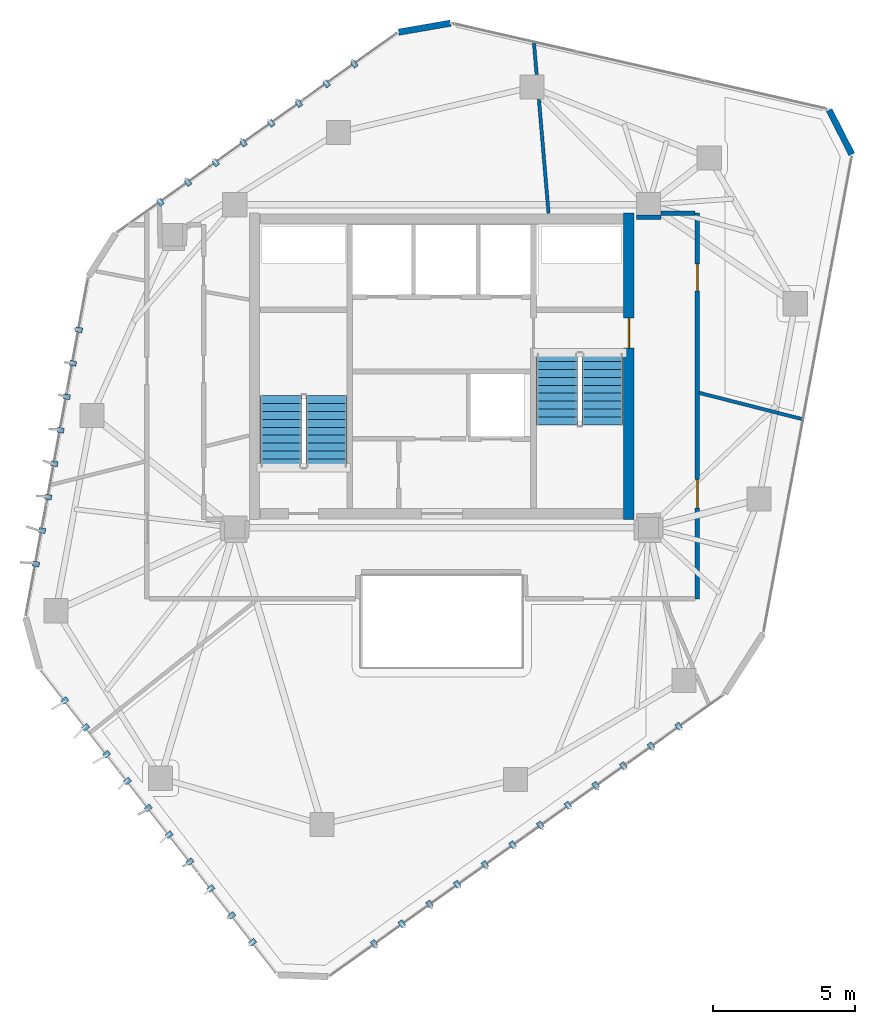
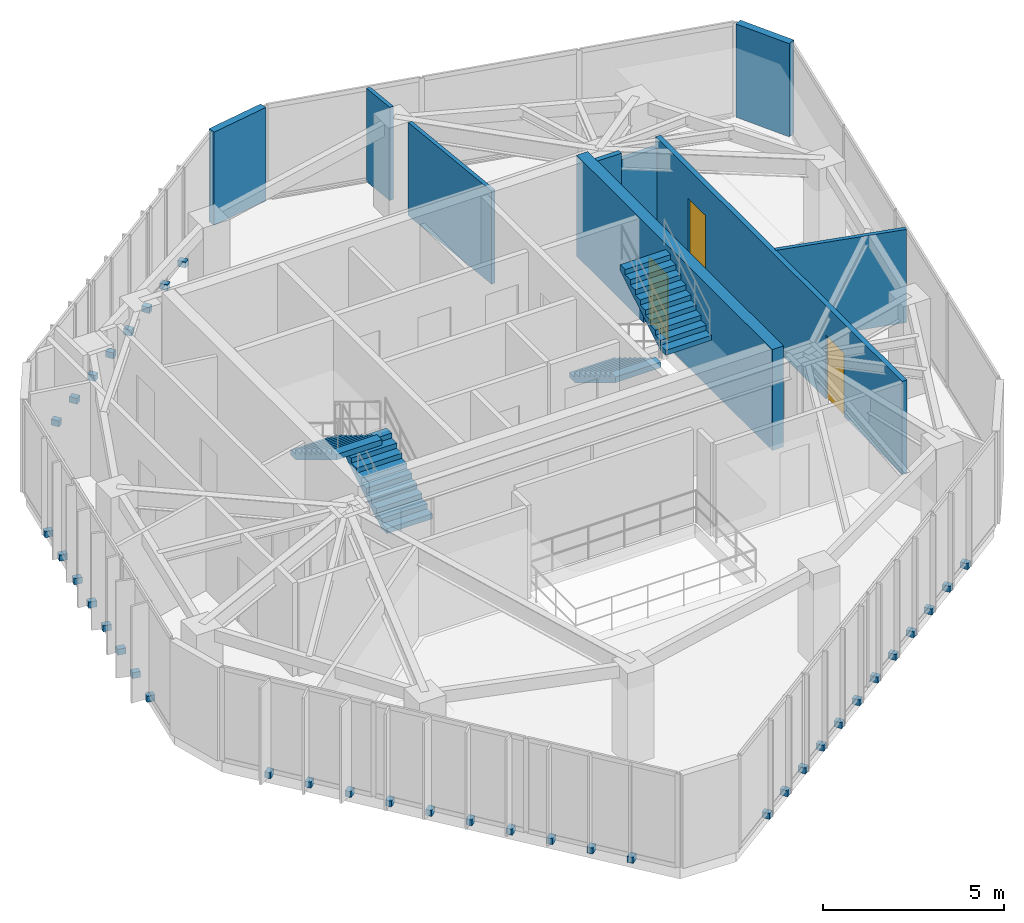
# One storey, part 17 of 19: 38 discrete accessories, 9 walls, 4 stair flights, 3 doors, 3 openings, 2 elements without a shape of their own.
"""IFC4 building model written with IfcOpenShell, lengths in metres."""

from ifc_helpers import new_model, si_unit, direction, frame, frame_2d, origin, origin_2d, place, context, subcontext, project, spatial, polyline, rectangle, outline, extrude, source, transform, mapped, material, layer, layer_set, type_object, type_shapes, element, fill, aggregate, save


model = new_model("IFC4")

# Units and contexts
model_context = context("Model", 3, precision=1e-05, world=origin(), true_north=direction((0.0, 1.0)))
body_context = subcontext(model_context, "Body", "Model", "MODEL_VIEW")
ifc_project = project(units=[si_unit("LENGTHUNIT", "METRE"), si_unit("AREAUNIT", "SQUARE_METRE"), si_unit("VOLUMEUNIT", "CUBIC_METRE"), si_unit("PLANEANGLEUNIT", "RADIAN"), si_unit("MASSUNIT", "GRAM", prefix="KILO")], contexts=[model_context])

# Site, building, storey
site_placement = place(None, origin())
site = spatial("IfcSite", under=ifc_project, at=site_placement, CompositionType="ELEMENT")
building_placement = place(site_placement, origin())
building = spatial("IfcBuilding", under=site, at=building_placement, Name="Talar Marvaseh", CompositionType="ELEMENT")
storey_placement = place(building_placement, frame((0.0, 0.0, 240.800048828125)))
storey = spatial("IfcBuildingStorey", under=building, at=storey_placement, Name="L63", CompositionType="ELEMENT", Elevation=240.800048828125)

# Walls
ifc_material_1 = material(Name="Precast concrete C45/55", Category="concrete")
ifc_layer_1 = layer(ifc_material_1, 0.22509765625)
ifc_layer_set_1 = layer_set([ifc_layer_1], Name="Precast concrete C45/55")
wall_type_1 = type_object("IfcWallType", Name="Chamfered Hexagonal Corner Pier Wall Z4 225", PredefinedType="SOLIDWALL", material=ifc_layer_set_1)
wall_1_placement = place(storey_placement, frame((24.482177734375, 42.9873046875, 0.0), z_axis=(0.0, 0.0, 1.0), x_axis=(0.985188582736, 0.171474360903, 0.0)))
element("IfcWall", 1, at=wall_1_placement, inside=storey, type_object=wall_type_1, Name="L63 Chamfered Corner Limestone Pier 4", PredefinedType="SOLIDWALL", context=body_context, shape_type="SweptSolid", body=[
    extrude(rectangle(XDim=1.856689453125, YDim=0.22509765625, at=frame_2d((0.92822265625, 0.0))), origin(), (0.0, 0.0, 1.0), 3.139892578125),
])
wall_2_placement = place(storey_placement, frame((39.66845703125, 40.2421875, 0.0), z_axis=(0.0, 0.0, 1.0), x_axis=(0.455140425342, -0.890419672525, 0.0)))
element("IfcWall", 2, at=wall_2_placement, inside=storey, type_object=wall_type_1, Name="L63 Chamfered Corner Limestone Pier 5", PredefinedType="SOLIDWALL", context=body_context, shape_type="SweptSolid", body=[
    extrude(rectangle(XDim=1.7578125, YDim=0.22509765625, at=frame_2d((0.87890625, 0.0))), origin(), (0.0, 0.0, 1.0), 3.139892578125),
])

# Wall, openings, doors
ifc_material_2 = material(Name="Gypsum Board Partition Assembly")
ifc_layer_2 = layer(ifc_material_2, 0.155029296875)
ifc_layer_set_2 = layer_set([ifc_layer_2], Name="Gypsum Board Partition Assembly")
wall_type_2 = type_object("IfcWallType", Name="Corridor Fire-Rated Acoustic Partition 155", PredefinedType="PARTITIONING", material=ifc_layer_set_2)
wall_3_placement = place(storey_placement, frame((35.02001953125, 36.60009765625, 0.0), z_axis=(0.0, 0.0, 1.0), x_axis=(0.0, -1.0, 0.0)))
wall_3 = element("IfcWall", 3, at=wall_3_placement, inside=storey, type_object=wall_type_2, Name="L63 Interior Partition Wall", PredefinedType="PARTITIONING", context=body_context, shape_type="SweptSolid", body=[
    extrude(rectangle(XDim=13.60009765625, YDim=0.155029296875, at=frame_2d((6.800048828125, 0.0))), origin(), (0.0, 0.0, 1.0), 3.139892578125),
])
opening_1_placement = place(wall_3_placement, frame((9.391357421875, 0.0, 0.0)))
opening_1 = element("IfcOpeningElement", 4, at=opening_1_placement, cuts=wall_3, Name="Opening DR-RM100", PredefinedType="OPENING", context=body_context, shape_type="SweptSolid", body=[
    extrude(rectangle(XDim=1.0, YDim=2.14990234375, at=frame_2d((0.5, 1.074951171875))), frame((0.0, 0.08740234375, 0.0), z_axis=(0.0, -1.0, 0.0), x_axis=(1.0, 0.0, 0.0)), (0.0, 0.0, 1.0), 0.175048828125),
])
opening_2_placement = place(wall_3_placement, frame((1.788330078125, 0.0, 0.0)))
opening_2 = element("IfcOpeningElement", 5, at=opening_2_placement, cuts=wall_3, Name="Opening DR-WC095", PredefinedType="OPENING", context=body_context, shape_type="SweptSolid", body=[
    extrude(rectangle(XDim=0.949951171875, YDim=2.14990234375, at=frame_2d((0.47509765625, 1.074951171875))), frame((0.0, 0.08740234375, 0.0), z_axis=(0.0, -1.0, 0.0), x_axis=(1.0, 0.0, 0.0)), (0.0, 0.0, 1.0), 0.175048828125),
])
ifc_material_3 = material(Name="Acoustic Engineered Oak Timber", Category="wood")
door_type_1 = type_object("IfcDoorType", Name="Washroom and Service Room Door 950x2150", OperationType="NOTDEFINED", PredefinedType="DOOR", material=ifc_material_3)
shared_shape_1 = source(origin(), body_context, "Body", "SweptSolid", [
    extrude(rectangle(XDim=0.949951171875, YDim=2.14990234375, at=frame_2d((0.47509765625, 1.074951171875))), frame((0.0, 0.02490234375, 0.0), z_axis=(0.0, -1.0, 0.0), x_axis=(1.0, 0.0, 0.0)), (0.0, 0.0, 1.0), 0.050048828125),
])
type_shapes(door_type_1, [shared_shape_1])
door_1_placement = place(opening_2_placement, origin())
door_1 = element("IfcDoor", 6, at=door_1_placement, inside=storey, type_object=door_type_1, Name="L63 Scholars' Servery Pantry Door", OperationType="SINGLE_SWING_RIGHT", OverallHeight=2.14990234375, OverallWidth=0.949951171875, PredefinedType="DOOR", context=body_context, shape_type="MappedRepresentation", body=[
    mapped(shared_shape_1, transform((0.0, 0.0, 0.0), x_axis=(1.0, 0.0, 0.0), y_axis=(0.0, 1.0, 0.0), z_axis=(0.0, 0.0, 1.0), scale=1.0)),
])
fill(opening_2, door_1)
door_type_2 = type_object("IfcDoorType", Name="Corridor Fire-Rated Gallery Door 1000x2150", OperationType="NOTDEFINED", PredefinedType="DOOR", material=ifc_material_3)
shared_shape_2 = source(origin(), body_context, "Body", "SweptSolid", [
    extrude(rectangle(XDim=1.0, YDim=2.14990234375, at=frame_2d((0.5, 1.074951171875))), frame((0.0, 0.02490234375, 0.0), z_axis=(0.0, -1.0, 0.0), x_axis=(1.0, 0.0, 0.0)), (0.0, 0.0, 1.0), 0.050048828125),
])
type_shapes(door_type_2, [shared_shape_2])
door_2_placement = place(opening_1_placement, origin())
door_2 = element("IfcDoor", 7, at=door_2_placement, inside=storey, type_object=door_type_2, Name="L63 Visitor Orientation Foyer Door", OperationType="SINGLE_SWING_LEFT", OverallHeight=2.14990234375, OverallWidth=1.0, PredefinedType="DOOR", context=body_context, shape_type="MappedRepresentation", body=[
    mapped(shared_shape_2, transform((0.0, 0.0, 0.0), x_axis=(1.0, 0.0, 0.0), y_axis=(0.0, 1.0, 0.0), z_axis=(0.0, 0.0, 1.0), scale=1.0)),
])
fill(opening_1, door_2)

# Walls
wall_4_placement = place(storey_placement, frame((32.8701171875, 36.464599609375, 0.0), z_axis=(0.0, 0.0, 1.0), x_axis=(0.999986873463, -0.005123758532, 0.0)))
element("IfcWall", 8, at=wall_4_placement, inside=storey, type_object=wall_type_2, Name="L63 Interior Partition Wall", PredefinedType="PARTITIONING", context=body_context, shape_type="SweptSolid", body=[
    extrude(rectangle(XDim=0.857666015625, YDim=0.155029296875, at=frame_2d((0.4287109375, 0.0))), origin(), (0.0, 0.0, 1.0), 3.139892578125),
])
wall_5_placement = place(storey_placement, frame((33.739990234375, 36.60009765625, 0.0), z_axis=(0.0, 0.0, 1.0), x_axis=(1.0, 0.0, 0.0)))
element("IfcWall", 9, at=wall_5_placement, inside=storey, type_object=wall_type_2, Name="L63 Interior Partition Wall", PredefinedType="PARTITIONING", context=body_context, shape_type="SweptSolid", body=[
    extrude(rectangle(XDim=1.196533203125, YDim=0.155029296875, at=frame_2d((0.59814453125, 0.0))), origin(), (0.0, 0.0, 1.0), 2.802001953125),
])
ifc_layer_3 = layer(ifc_material_2, 0.1201171875)
ifc_layer_set_3 = layer_set([ifc_layer_3], Name="Gypsum Board Partition Assembly")
wall_type_3 = type_object("IfcWallType", Name="Demountable Studio Room Partition 120", PredefinedType="PARTITIONING", material=ifc_layer_set_3)
wall_6_placement = place(storey_placement, frame((35.0830078125, 30.263916015625, 0.0), z_axis=(0.0, 0.0, 1.0), x_axis=(0.969008129802, -0.24702883309, 0.0)))
element("IfcWall", 10, at=wall_6_placement, inside=storey, type_object=wall_type_3, Name="L63 Interior Partition Wall", PredefinedType="PARTITIONING", context=body_context, shape_type="SweptSolid", body=[
    extrude(rectangle(XDim=3.756591796875, YDim=0.1201171875, at=frame_2d((1.87841796875, 0.0))), origin(), (0.0, 0.0, 1.0), 3.139892578125),
])
wall_7_placement = place(storey_placement, frame((29.77001953125, 36.60009765625, 0.0), z_axis=(0.0, 0.0, 1.0), x_axis=(-0.084506371621, 0.996422938895, 0.0)))
element("IfcWall", 11, at=wall_7_placement, inside=storey, type_object=wall_type_3, Name="L63 Interior Partition Wall", PredefinedType="PARTITIONING", context=body_context, shape_type="SweptSolid", body=[
    extrude(rectangle(XDim=4.0244140625, YDim=0.1201171875, at=frame_2d((2.01220703125, 0.0))), origin(), (0.0, 0.0, 1.0), 3.139892578125),
])
wall_8_placement = place(storey_placement, frame((29.35009765625, 41.489990234375, 0.0), z_axis=(0.0, 0.0, 1.0), x_axis=(-0.084781555985, 0.996399562307, 0.0)))
element("IfcWall", 12, at=wall_8_placement, inside=storey, type_object=wall_type_3, Name="L63 Interior Partition Wall", PredefinedType="PARTITIONING", context=body_context, shape_type="SweptSolid", body=[
    extrude(rectangle(XDim=1.12890625, YDim=0.1201171875, at=frame_2d((0.564453125, 0.0))), origin(), (0.0, 0.0, 1.0), 3.139892578125),
])

# Wall, opening, door
ifc_material_4 = material(Name="Concrete C50/60", Category="concrete")
ifc_layer_4 = layer(ifc_material_4, 0.360107421875)
ifc_layer_set_4 = layer_set([ifc_layer_4], Name="Concrete C50/60")
wall_type_4 = type_object("IfcWallType", Name="Upper Core Reinforced Concrete Shear Wall 360", PredefinedType="SHEAR", material=ifc_layer_set_4)
wall_9_placement = place(storey_placement, frame((32.60009765625, 36.60009765625, 0.0), z_axis=(0.0, 0.0, 1.0), x_axis=(0.0, -1.0, 0.0)))
wall_9 = element("IfcWall", 13, at=wall_9_placement, inside=storey, type_object=wall_type_4, Name="L63 East Core Shear Wall", PredefinedType="SHEAR", context=body_context, shape_type="SweptSolid", body=[
    extrude(rectangle(XDim=10.800048828125, YDim=0.360107421875, at=frame_2d((5.39990234375, 0.0))), origin(), (0.0, 0.0, 1.0), 3.39990234375),
])
opening_3_placement = place(wall_9_placement, frame((3.699951171875, 0.0, 0.0)))
opening_3 = element("IfcOpeningElement", 14, at=opening_3_placement, cuts=wall_9, Name="Opening DR-ST105", PredefinedType="OPENING", context=body_context, shape_type="SweptSolid", body=[
    extrude(rectangle(XDim=1.050048828125, YDim=2.14990234375, at=frame_2d((0.52490234375, 1.074951171875))), frame((0.0, 0.18994140625, 0.0), z_axis=(0.0, -1.0, 0.0), x_axis=(1.0, 0.0, 0.0)), (0.0, 0.0, 1.0), 0.380126953125),
])
ifc_material_5 = material(Name="Fire-Rated Steel Door Leaf", Category="steel")
door_type_3 = type_object("IfcDoorType", Name="Protected Exit Stair Fire Door 1050x2150", OperationType="NOTDEFINED", PredefinedType="DOOR", material=ifc_material_5)
shared_shape_3 = source(origin(), body_context, "Body", "SweptSolid", [
    extrude(rectangle(XDim=1.050048828125, YDim=2.14990234375, at=frame_2d((0.52490234375, 1.074951171875))), frame((0.0, 0.02490234375, 0.0), z_axis=(0.0, -1.0, 0.0), x_axis=(1.0, 0.0, 0.0)), (0.0, 0.0, 1.0), 0.050048828125),
])
type_shapes(door_type_3, [shared_shape_3])
door_3_placement = place(opening_3_placement, origin())
door_3 = element("IfcDoor", 15, at=door_3_placement, inside=storey, type_object=door_type_3, Name="L63 Stair ST-2 Corridor Exit Door", OperationType="SINGLE_SWING_LEFT", OverallHeight=2.14990234375, OverallWidth=1.050048828125, PredefinedType="DOOR", context=body_context, shape_type="MappedRepresentation", body=[
    mapped(shared_shape_3, transform((0.0, 0.0, 0.0), x_axis=(1.0, 0.0, 0.0), y_axis=(0.0, 1.0, 0.0), z_axis=(0.0, 0.0, 1.0), scale=1.0)),
])
fill(opening_3, door_3)

# Stair, stair flights
ifc_material_6 = material(Name="Concrete C40/50", Category="concrete")
stair_type = type_object("IfcStairType", Name="Reinforced Concrete High-Rise Exit Stair Type C", PredefinedType="HALF_TURN_STAIR", material=ifc_material_6)
stair_1_placement = place(storey_placement, origin())
stair_1 = element("IfcStair", 16, at=stair_1_placement, inside=storey, type_object=stair_type, Name="L63 Tower West Core Exit Stair", PredefinedType="HALF_TURN_STAIR")
ifc_layer_5 = layer(ifc_material_6, 0.159912109375)
ifc_layer_set_5 = layer_set([ifc_layer_5], Name="Concrete C40/50")
stair_flight_type = type_object("IfcStairFlightType", Name="Reinforced Concrete Straight Stair Flight 160", PredefinedType="STRAIGHT", material=ifc_layer_set_5)
stair_flight_1_placement = place(storey_placement, frame((21.93505859375, 27.64990234375, 0.0), z_axis=(0.0, 0.0, 1.0), x_axis=(0.0, 1.0, 0.0)))
stair_flight_1 = element("IfcStairFlight", 17, at=stair_flight_1_placement, type_object=stair_flight_type, Name="ST-1 flight 1", NumberOfRisers=10, NumberOfTreads=9, PredefinedType="STRAIGHT", RiserHeight=0.17, TreadLength=0.28, context=body_context, shape_type="SweptSolid", body=[
    extrude(outline(polyline([(0.0, 0.0), (0.0, 0.169921875), (0.280029296875, 0.169921875), (0.280029296875, 0.340087890625), (0.56005859375, 0.340087890625), (0.56005859375, 0.510009765625), (0.840087890625, 0.510009765625), (0.840087890625, 0.679931640625), (1.1201171875, 0.679931640625), (1.1201171875, 0.85009765625), (1.39990234375, 0.85009765625), (1.39990234375, 1.02001953125), (1.679931640625, 1.02001953125), (1.679931640625, 1.18994140625), (1.9599609375, 1.18994140625), (1.9599609375, 1.360107421875), (2.239990234375, 1.360107421875), (2.239990234375, 1.530029296875), (2.52001953125, 1.530029296875), (2.52001953125, 1.699951171875), (2.52001953125, 1.343017578125), (0.30810546875, 0.0), (0.0, 0.0)])), frame((0.0, 0.72509765625, 0.0), z_axis=(0.0, -1.0, 0.0), x_axis=(1.0, 0.0, 0.0)), (0.0, 0.0, 1.0), 1.449951171875),
])
stair_flight_2_placement = place(storey_placement, frame((20.324951171875, 30.169921875, 1.699951171875), z_axis=(0.0, 0.0, 1.0), x_axis=(0.0, -1.0, 0.0)))
stair_flight_2 = element("IfcStairFlight", 18, at=stair_flight_2_placement, type_object=stair_flight_type, Name="ST-1 flight 2", NumberOfRisers=10, NumberOfTreads=9, PredefinedType="STRAIGHT", RiserHeight=0.17, TreadLength=0.28, context=body_context, shape_type="SweptSolid", body=[
    extrude(outline(polyline([(0.0, 0.0), (0.0, 0.169921875), (0.280029296875, 0.169921875), (0.280029296875, 0.340087890625), (0.56005859375, 0.340087890625), (0.56005859375, 0.510009765625), (0.840087890625, 0.510009765625), (0.840087890625, 0.679931640625), (1.1201171875, 0.679931640625), (1.1201171875, 0.85009765625), (1.39990234375, 0.85009765625), (1.39990234375, 1.02001953125), (1.679931640625, 1.02001953125), (1.679931640625, 1.18994140625), (1.9599609375, 1.18994140625), (1.9599609375, 1.360107421875), (2.239990234375, 1.360107421875), (2.239990234375, 1.530029296875), (2.52001953125, 1.530029296875), (2.52001953125, 1.699951171875), (2.52001953125, 1.343017578125), (0.30810546875, 0.0), (0.0, 0.0)])), frame((0.0, 0.72509765625, 0.0), z_axis=(0.0, -1.0, 0.0), x_axis=(1.0, 0.0, 0.0)), (0.0, 0.0, 1.0), 1.449951171875),
])
aggregate(stair_1, [stair_flight_1, stair_flight_2])

stair_2_placement = place(storey_placement, origin())
stair_2 = element("IfcStair", 19, at=stair_2_placement, inside=storey, type_object=stair_type, Name="L63 Tower East Core Exit Stair", PredefinedType="HALF_TURN_STAIR")
stair_flight_3_placement = place(storey_placement, frame((30.06494140625, 31.64990234375, 0.0), z_axis=(0.0, 0.0, 1.0), x_axis=(0.0, -1.0, 0.0)))
stair_flight_3 = element("IfcStairFlight", 20, at=stair_flight_3_placement, type_object=stair_flight_type, Name="ST-2 flight 1", NumberOfRisers=10, NumberOfTreads=9, PredefinedType="STRAIGHT", RiserHeight=0.17, TreadLength=0.28, context=body_context, shape_type="SweptSolid", body=[
    extrude(outline(polyline([(0.0, 0.0), (0.0, 0.169921875), (0.280029296875, 0.169921875), (0.280029296875, 0.340087890625), (0.56005859375, 0.340087890625), (0.56005859375, 0.510009765625), (0.840087890625, 0.510009765625), (0.840087890625, 0.679931640625), (1.1201171875, 0.679931640625), (1.1201171875, 0.85009765625), (1.39990234375, 0.85009765625), (1.39990234375, 1.02001953125), (1.679931640625, 1.02001953125), (1.679931640625, 1.18994140625), (1.9599609375, 1.18994140625), (1.9599609375, 1.360107421875), (2.239990234375, 1.360107421875), (2.239990234375, 1.530029296875), (2.52001953125, 1.530029296875), (2.52001953125, 1.699951171875), (2.52001953125, 1.343017578125), (0.30810546875, 0.0), (0.0, 0.0)])), frame((0.0, 0.72509765625, 0.0), z_axis=(0.0, -1.0, 0.0), x_axis=(1.0, 0.0, 0.0)), (0.0, 0.0, 1.0), 1.449951171875),
])
stair_flight_4_placement = place(storey_placement, frame((31.675048828125, 29.1298828125, 1.699951171875), z_axis=(0.0, 0.0, 1.0), x_axis=(0.0, 1.0, 0.0)))
stair_flight_4 = element("IfcStairFlight", 21, at=stair_flight_4_placement, type_object=stair_flight_type, Name="ST-2 flight 2", NumberOfRisers=10, NumberOfTreads=9, PredefinedType="STRAIGHT", RiserHeight=0.17, TreadLength=0.28, context=body_context, shape_type="SweptSolid", body=[
    extrude(outline(polyline([(0.0, 0.0), (0.0, 0.169921875), (0.280029296875, 0.169921875), (0.280029296875, 0.340087890625), (0.56005859375, 0.340087890625), (0.56005859375, 0.510009765625), (0.840087890625, 0.510009765625), (0.840087890625, 0.679931640625), (1.1201171875, 0.679931640625), (1.1201171875, 0.85009765625), (1.39990234375, 0.85009765625), (1.39990234375, 1.02001953125), (1.679931640625, 1.02001953125), (1.679931640625, 1.18994140625), (1.9599609375, 1.18994140625), (1.9599609375, 1.360107421875), (2.239990234375, 1.360107421875), (2.239990234375, 1.530029296875), (2.52001953125, 1.530029296875), (2.52001953125, 1.699951171875), (2.52001953125, 1.343017578125), (0.30810546875, 0.0), (0.0, 0.0)])), frame((0.0, 0.72509765625, 0.0), z_axis=(0.0, -1.0, 0.0), x_axis=(1.0, 0.0, 0.0)), (0.0, 0.0, 1.0), 1.449951171875),
])
aggregate(stair_2, [stair_flight_3, stair_flight_4])

# Discrete accessories
ifc_material_7 = material(Name="Stainless Steel Grade 316", Category="steel")
discrete_accessory_type = type_object("IfcDiscreteAccessoryType", Name="Stainless Slab-Edge Fin Mounting Bracket", PredefinedType="BRACKET", material=ifc_material_7)
shared_shape_4 = source(origin(), body_context, "Body", "SweptSolid", [
    extrude(rectangle(XDim=0.239990234375, YDim=0.179931640625, at=origin_2d()), origin(), (0.0, 0.0, 1.0), 0.199951171875),
])
type_shapes(discrete_accessory_type, [shared_shape_4])
for number, where, z_axis, x_axis, name in (
    (22, (19.3291015625, 10.881591796875, -0.18017578125), (0.0, 0.0, 1.0), (-0.78961984927, -0.613596360516, 0.0), "L63 Vertical Fin Slab-Edge Bracket"),
    (23, (18.5927734375, 11.829345703125, -0.18017578125), (0.0, 0.0, 1.0), (-0.78961984927, -0.613596360516, 0.0), "L63 Vertical Fin Slab-Edge Bracket"),
    (24, (17.8564453125, 12.77685546875, -0.18017578125), (0.0, 0.0, 1.0), (-0.78961984927, -0.613596360516, 0.0), "L63 Vertical Fin Slab-Edge Bracket"),
    (25, (17.1201171875, 13.724609375, -0.18017578125), (0.0, 0.0, 1.0), (-0.78961984927, -0.613596360516, 0.0), "L63 Vertical Fin Slab-Edge Bracket"),
    (26, (16.384033203125, 14.672119140625, -0.18017578125), (0.0, 0.0, 1.0), (-0.78961984927, -0.613596360516, 0.0), "L63 Vertical Fin Slab-Edge Bracket"),
    (27, (15.647705078125, 15.61962890625, -0.18017578125), (0.0, 0.0, 1.0), (-0.78961984927, -0.613596360516, 0.0), "L63 Vertical Fin Slab-Edge Bracket"),
    (28, (14.91162109375, 16.567138671875, -0.18017578125), (0.0, 0.0, 1.0), (-0.78961984927, -0.613596360516, 0.0), "L63 Vertical Fin Slab-Edge Bracket"),
    (29, (14.17529296875, 17.514892578125, -0.18017578125), (0.0, 0.0, 1.0), (-0.78961984927, -0.613596360516, 0.0), "L63 Vertical Fin Slab-Edge Bracket"),
    (30, (13.43896484375, 18.46240234375, -0.18017578125), (0.0, 0.0, 1.0), (-0.78961984927, -0.613596360516, 0.0), "L63 Vertical Fin Slab-Edge Bracket"),
    (31, (12.70263671875, 19.409912109375, -0.18017578125), (0.0, 0.0, 1.0), (-0.78961984927, -0.613596360516, 0.0), "L63 Vertical Fin Slab-Edge Bracket"),
    (32, (11.685546875, 24.224853515625, -0.18017578125), (0.0, 0.0, 1.0), (-0.983476816388, 0.1810341173, 0.0), "L63 Vertical Fin Slab-Edge Bracket"),
    (33, (11.90283203125, 25.40478515625, -0.18017578125), (0.0, 0.0, 1.0), (-0.983476816388, 0.1810341173, 0.0), "L63 Vertical Fin Slab-Edge Bracket"),
    (34, (12.1201171875, 26.585205078125, -0.18017578125), (0.0, 0.0, 1.0), (-0.983476816388, 0.1810341173, 0.0), "L63 Vertical Fin Slab-Edge Bracket"),
    (35, (12.33740234375, 27.765380859375, -0.18017578125), (0.0, 0.0, 1.0), (-0.983476816388, 0.1810341173, 0.0), "L63 Vertical Fin Slab-Edge Bracket"),
    (36, (12.5546875, 28.9453125, -0.18017578125), (0.0, 0.0, 1.0), (-0.983476816388, 0.1810341173, 0.0), "L63 Vertical Fin Slab-Edge Bracket"),
    (37, (12.77197265625, 30.12548828125, -0.18017578125), (0.0, 0.0, 1.0), (-0.983476816388, 0.1810341173, 0.0), "L63 Vertical Fin Slab-Edge Bracket"),
    (38, (12.9892578125, 31.305908203125, -0.18017578125), (0.0, 0.0, 1.0), (-0.983476816388, 0.1810341173, 0.0), "L63 Vertical Fin Slab-Edge Bracket"),
    (39, (13.20654296875, 32.48583984375, -0.18017578125), (0.0, 0.0, 1.0), (-0.983476816388, 0.1810341173, 0.0), "L63 Vertical Fin Slab-Edge Bracket"),
    (40, (16.074462890625, 36.98779296875, -0.18017578125), (0.0, 0.0, 1.0), (-0.579707892832, 0.814824373094, 0.0), "L63 Vertical Fin Slab-Edge Bracket"),
    (41, (17.05224609375, 37.683349609375, -0.18017578125), (0.0, 0.0, 1.0), (-0.579707892832, 0.814824373094, 0.0), "L63 Vertical Fin Slab-Edge Bracket"),
    (42, (18.030029296875, 38.379150390625, -0.18017578125), (0.0, 0.0, 1.0), (-0.579707892832, 0.814824373094, 0.0), "L63 Vertical Fin Slab-Edge Bracket"),
    (43, (19.0078125, 39.07470703125, -0.18017578125), (0.0, 0.0, 1.0), (-0.579707892832, 0.814824373094, 0.0), "L63 Vertical Fin Slab-Edge Bracket"),
    (44, (19.985595703125, 39.7705078125, -0.18017578125), (0.0, 0.0, 1.0), (-0.579707892832, 0.814824373094, 0.0), "L63 Vertical Fin Slab-Edge Bracket"),
    (45, (20.96337890625, 40.46630859375, -0.18017578125), (0.0, 0.0, 1.0), (-0.579707892832, 0.814824373094, 0.0), "L63 Vertical Fin Slab-Edge Bracket"),
    (46, (21.94091796875, 41.161865234375, -0.18017578125), (0.0, 0.0, 1.0), (-0.579707892832, 0.814824373094, 0.0), "L63 Vertical Fin Slab-Edge Bracket"),
    (47, (22.918701171875, 41.857666015625, -0.18017578125), (0.0, 0.0, 1.0), (-0.579707892832, 0.814824373094, 0.0), "L63 Vertical Fin Slab-Edge Bracket"),
    (48, (34.361083984375, 18.50341796875, -0.18017578125), (0.0, 0.0, 1.0), (0.580845036828, -0.814014154172, 0.0), "L63 Vertical Fin Slab-Edge Bracket"),
    (49, (33.38427734375, 17.806396484375, -0.18017578125), (0.0, 0.0, 1.0), (0.580845036828, -0.814014154172, 0.0), "L63 Vertical Fin Slab-Edge Bracket"),
    (50, (32.407470703125, 17.109619140625, -0.18017578125), (0.0, 0.0, 1.0), (0.580845036828, -0.814014154172, 0.0), "L63 Vertical Fin Slab-Edge Bracket"),
    (51, (31.4306640625, 16.41259765625, -0.18017578125), (0.0, 0.0, 1.0), (0.580845036828, -0.814014154172, 0.0), "L63 Vertical Fin Slab-Edge Bracket"),
    (52, (30.45361328125, 15.715576171875, -0.18017578125), (0.0, 0.0, 1.0), (0.580845036828, -0.814014154172, 0.0), "L63 Vertical Fin Slab-Edge Bracket"),
    (53, (29.476806640625, 15.0185546875, -0.18017578125), (0.0, 0.0, 1.0), (0.580845036828, -0.814014154172, 0.0), "L63 Vertical Fin Slab-Edge Bracket"),
    (54, (28.5, 14.321533203125, -0.18017578125), (0.0, 0.0, 1.0), (0.580845036828, -0.814014154172, 0.0), "L63 Vertical Fin Slab-Edge Bracket"),
    (55, (27.523193359375, 13.62451171875, -0.18017578125), (0.0, 0.0, 1.0), (0.580845036828, -0.814014154172, 0.0), "L63 Vertical Fin Slab-Edge Bracket"),
    (56, (26.54638671875, 12.927490234375, -0.18017578125), (0.0, 0.0, 1.0), (0.580845036828, -0.814014154172, 0.0), "L63 Vertical Fin Slab-Edge Bracket"),
    (57, (25.569580078125, 12.23046875, -0.18017578125), (0.0, 0.0, 1.0), (0.580845036828, -0.814014154172, 0.0), "L63 Vertical Fin Slab-Edge Bracket"),
    (58, (24.5927734375, 11.533447265625, -0.18017578125), (0.0, 0.0, 1.0), (0.580845036828, -0.814014154172, 0.0), "L63 Vertical Fin Slab-Edge Bracket"),
    (59, (23.615966796875, 10.836669921875, -0.18017578125), (0.0, 0.0, 1.0), (0.580845036828, -0.814014154172, 0.0), "L63 Vertical Fin Slab-Edge Bracket"),
):
    element("IfcDiscreteAccessory", number, at=place(storey_placement, frame(where, z_axis=z_axis, x_axis=x_axis)), inside=storey, type_object=discrete_accessory_type, Name=name, PredefinedType="BRACKET", context=body_context, shape_type="MappedRepresentation", body=[
        mapped(shared_shape_4, transform((0.0, 0.0, 0.0), x_axis=(1.0, 0.0, 0.0), y_axis=(0.0, 1.0, 0.0), z_axis=(0.0, 0.0, 1.0), scale=1.0)),
    ])

save(model, "model.ifc")
